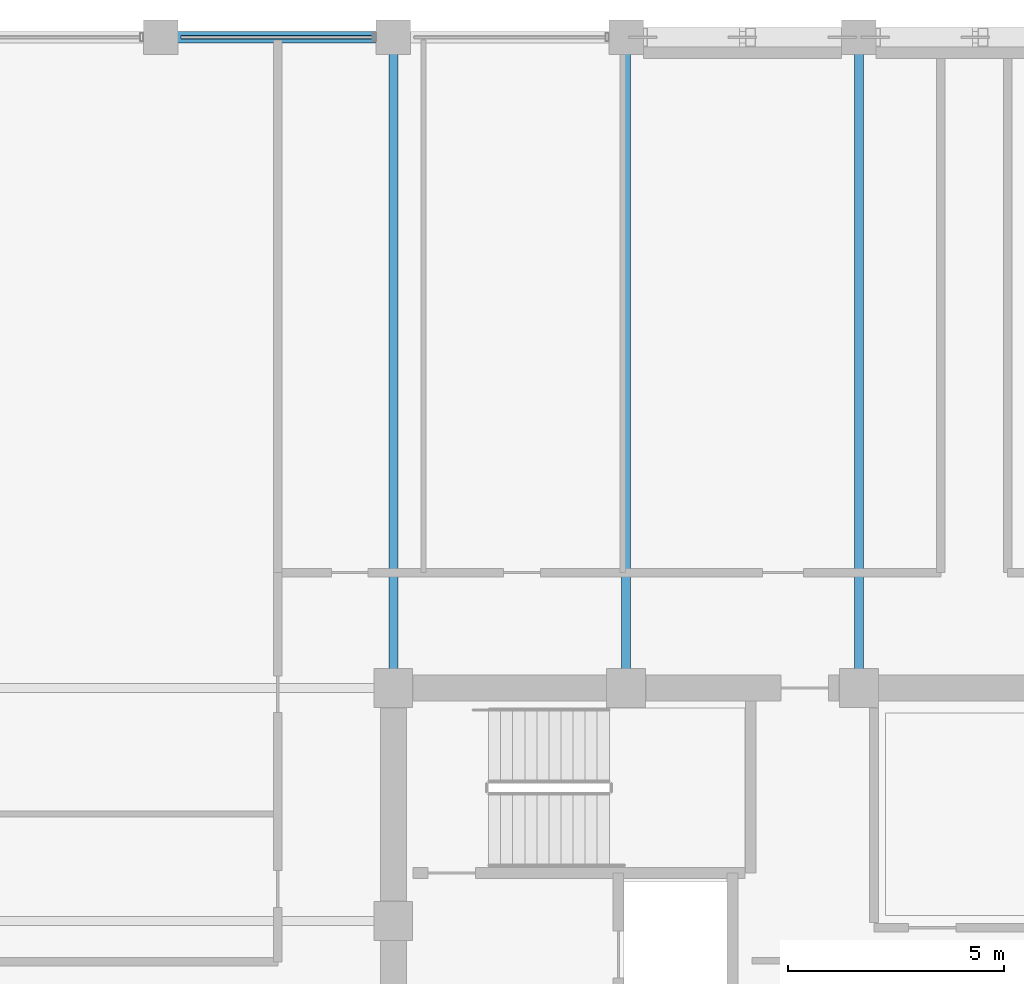
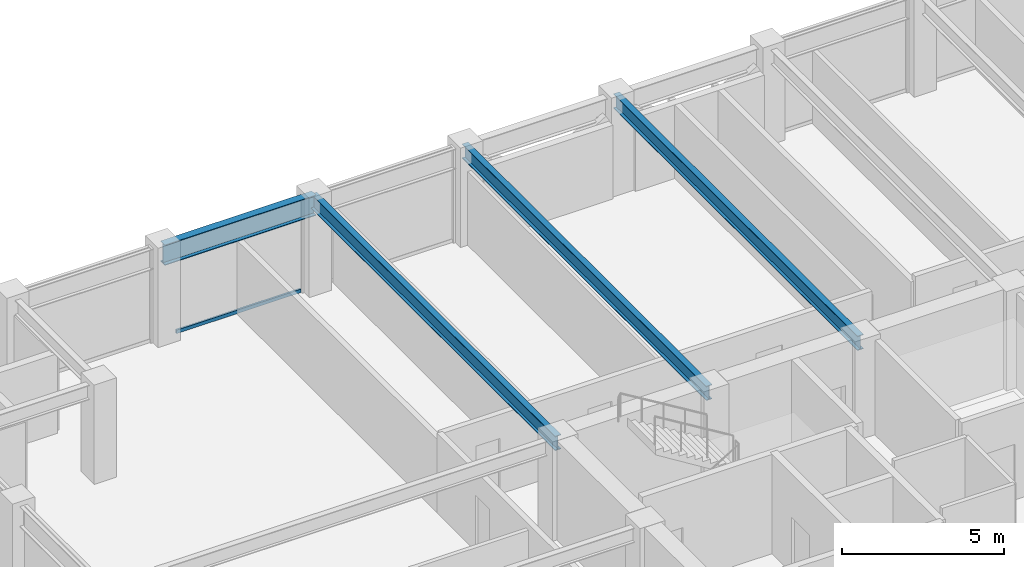
# One storey, part 17 of 30: 4 beams, 1 member, 1 element without a shape of its own.
"""IFC4 building model written with IfcOpenShell, lengths in metres."""

from ifc_helpers import new_model, si_unit, direction, frame, origin, origin_2d, place, context, subcontext, project, spatial, hollow_rectangle, i_section, extrude, material, layer, layer_set, material_profile, profile_set, type_object, element, aggregate, save


model = new_model("IFC4")

# Units and contexts
model_context = context("Model", 3, precision=1e-05, world=origin(), true_north=direction((0.0, 1.0)))
body_context = subcontext(model_context, "Body", "Model", "MODEL_VIEW")
ifc_project = project(units=[si_unit("LENGTHUNIT", "METRE"), si_unit("AREAUNIT", "SQUARE_METRE"), si_unit("VOLUMEUNIT", "CUBIC_METRE"), si_unit("PLANEANGLEUNIT", "RADIAN"), si_unit("MASSUNIT", "GRAM", prefix="KILO")], contexts=[model_context])

# Site, building, storey
site_placement = place(None, origin())
site = spatial("IfcSite", under=ifc_project, at=site_placement, CompositionType="ELEMENT")
building_placement = place(site_placement, origin())
building = spatial("IfcBuilding", under=site, at=building_placement, Name="Surkhivell Harbour Commons", CompositionType="ELEMENT")
storey_placement = place(building_placement, frame((0.0, 0.0, 231.0)))
storey = spatial("IfcBuildingStorey", under=building, at=storey_placement, Name="L60", CompositionType="ELEMENT", Elevation=231.0)

# Beams
ifc_material_1 = material(Name="Steel S355", Category="steel")
ifc_material_profile_1 = material_profile(ifc_material_1, i_section(OverallWidth=0.2119140625, OverallDepth=0.5439453125, WebThickness=0.0126953125, FlangeThickness=0.021240234375, at=origin_2d()), Name="UB533x210x122")
ifc_profile_set_1 = profile_set([ifc_material_profile_1], Name="Steel S355")
beam_type_1 = type_object("IfcBeamType", Name="BM-GRD-533A", PredefinedType="BEAM", material=ifc_profile_set_1)
for number, where, z_axis, x_axis, name in (
    (1, (-10.800048828125, 10.800048828125, 3.298095703125), (0.0, 1.0, 0.0), (-1.0, 0.0, 0.0), "L60 Floor Girder (-10.8,10.8)"),
    (2, (-5.39990234375, 10.800048828125, 3.298095703125), (0.0, 1.0, 0.0), (-1.0, 0.0, 0.0), "L60 Floor Girder (-5.4,10.8)"),
    (3, (0.0, 10.800048828125, 3.298095703125), (0.0, 1.0, 0.0), (-1.0, 0.0, 0.0), "L60 Floor Girder (0.0,10.8)"),
):
    element("IfcBeam", number, at=place(storey_placement, frame(where, z_axis=z_axis, x_axis=x_axis)), inside=storey, type_object=beam_type_1, Name=name, PredefinedType="BEAM", context=body_context, shape_type="SweptSolid", body=[
        extrude(i_section(OverallWidth=0.2119140625, OverallDepth=0.5439453125, WebThickness=0.0126953125, FlangeThickness=0.021240234375, at=origin_2d()), origin(), (0.0, 0.0, 1.0), 15.099853515625),
    ])
ifc_material_profile_2 = material_profile(ifc_material_1, i_section(OverallWidth=0.26806640625, OverallDepth=0.77001953125, WebThickness=0.015625, FlangeThickness=0.025390625, at=origin_2d()), Name="UB762x267x197")
ifc_profile_set_2 = profile_set([ifc_material_profile_2], Name="Steel S355")
beam_type_2 = type_object("IfcBeamType", Name="BM-SPN-762", PredefinedType="SPANDREL", material=ifc_profile_set_2)
beam_placement = place(storey_placement, frame((-16.199951171875, 25.89990234375, 3.18505859375), z_axis=(1.0, 0.0, 0.0), x_axis=(0.0, 1.0, 0.0)))
element("IfcBeam", 4, at=beam_placement, inside=storey, type_object=beam_type_2, Name="L60 Tube Spandrel (-16.2,25.9)", PredefinedType="SPANDREL", context=body_context, shape_type="SweptSolid", body=[
    extrude(i_section(OverallWidth=0.26806640625, OverallDepth=0.77001953125, WebThickness=0.015625, FlangeThickness=0.025390625, at=origin_2d()), origin(), (0.0, 0.0, 1.0), 5.39990234375),
])

# Curtain wall, member
ifc_material_2 = material(Name="Anodised pale-metal aluminium and insulated glazing", Category="aluminium")
ifc_layer = layer(ifc_material_2, 0.18994140625)
ifc_layer_set = layer_set([ifc_layer], Name="Anodised pale-metal aluminium and insulated glazing")
curtain_wall_type = type_object("IfcCurtainWallType", Name="CW-SYS-Z3", PredefinedType="NOTDEFINED", material=ifc_layer_set)
curtain_wall_placement = place(storey_placement, origin())
curtain_wall = element("IfcCurtainWall", 5, at=curtain_wall_placement, inside=storey, type_object=curtain_wall_type, Name="L60 Curtain Wall CW-L60-E07S2", PredefinedType="NOTDEFINED")
ifc_material_3 = material(Name="Champagne anodised aluminium alloy 6063-T6", Category="aluminium")
ifc_material_profile_3 = material_profile(ifc_material_3, hollow_rectangle(XDim=0.070068359375, YDim=0.1298828125, WallThickness=0.00341796875, at=origin_2d()), Name="ALU-TRAN-70x130")
ifc_profile_set_3 = profile_set([ifc_material_profile_3], Name="Champagne anodised aluminium alloy 6063-T6")
member_type = type_object("IfcMemberType", Name="CWT-130", PredefinedType="USERDEFINED", material=ifc_profile_set_3)
member_placement = place(storey_placement, frame((-11.277099609375, 25.89990234375, 0.06494140625), z_axis=(-1.0, 0.0, 0.0), x_axis=(0.0, -1.0, 0.0)))
member = element("IfcMember", 6, at=member_placement, type_object=member_type, Name="CW-Z3 transom 2.1", ObjectType="TRANSOM", PredefinedType="USERDEFINED", context=body_context, shape_type="SweptSolid", body=[
    extrude(hollow_rectangle(XDim=0.070068359375, YDim=0.1298828125, WallThickness=0.00341796875, at=origin_2d()), origin(), (0.0, 0.0, 1.0), 4.44580078125),
])
aggregate(curtain_wall, [member])

save(model, "model.ifc")
